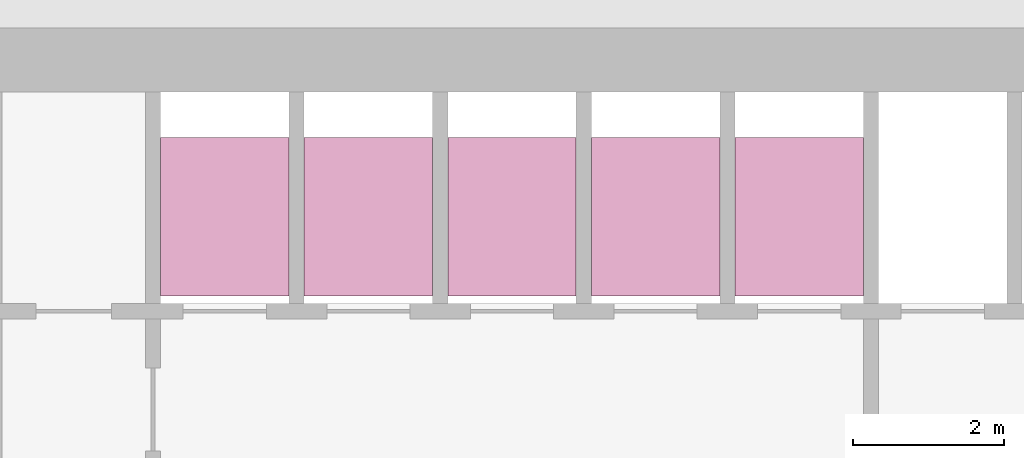
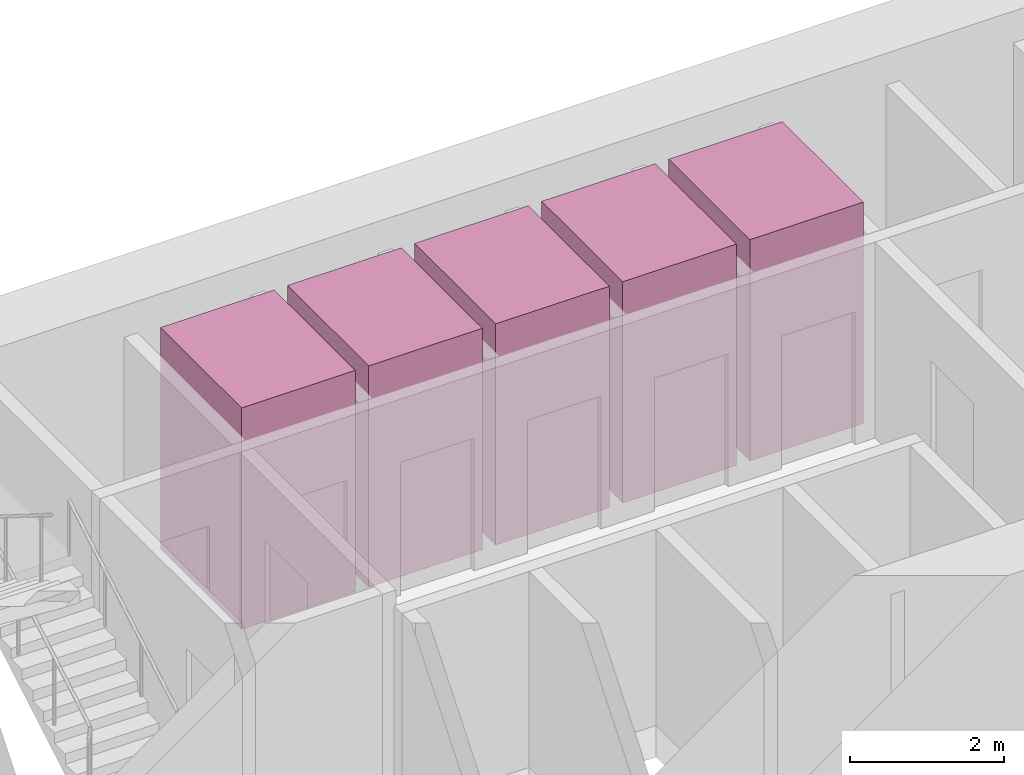
# One storey, part 13 of 13: 5 transport elements.
"""IFC4 building model written with IfcOpenShell, lengths in metres."""

from ifc_helpers import new_model, si_unit, direction, frame, origin, origin_2d, place, context, subcontext, project, spatial, rectangle, extrude, material, type_object, element, save


model = new_model("IFC4")

# Units and contexts
model_context = context("Model", 3, precision=1e-05, world=origin(), true_north=direction((0.0, 1.0)))
body_context = subcontext(model_context, "Body", "Model", "MODEL_VIEW")
ifc_project = project(units=[si_unit("LENGTHUNIT", "METRE"), si_unit("AREAUNIT", "SQUARE_METRE"), si_unit("VOLUMEUNIT", "CUBIC_METRE"), si_unit("PLANEANGLEUNIT", "RADIAN"), si_unit("MASSUNIT", "GRAM", prefix="KILO")], contexts=[model_context])

# Site, building, storey
site_placement = place(None, origin())
site = spatial("IfcSite", under=ifc_project, at=site_placement, CompositionType="ELEMENT")
building_placement = place(site_placement, origin())
building = spatial("IfcBuilding", under=site, at=building_placement, Name="Altiplano Prism Tower", CompositionType="ELEMENT")
storey_placement = place(building_placement, frame((0.0, 0.0, 59.39990234375)))
storey = spatial("IfcBuildingStorey", under=building, at=storey_placement, Name="L14", CompositionType="ELEMENT", Elevation=59.39990234375)

# Transport elements
ifc_material = material(Name="Stainless steel lift car", Category="steel")
transport_element_type = type_object("IfcTransportElementType", Name="Passenger lift car 1600 x 2100", PredefinedType="ELEVATOR", material=ifc_material)
for number, where, z_axis, x_axis, name in (
    (1, (79.050048828125, 101.75, 0.050048828125), (0.0, 0.0, 1.0), (1.0, 0.0, 0.0), "Low Zone Passenger Lift 1"),
    (2, (80.949951171875, 101.75, 0.050048828125), (0.0, 0.0, 1.0), (1.0, 0.0, 0.0), "Low Zone Passenger Lift 2"),
    (3, (82.85009765625, 101.75, 0.050048828125), (0.0, 0.0, 1.0), (1.0, 0.0, 0.0), "Low Zone Passenger Lift 3"),
    (4, (84.75, 101.75, 0.050048828125), (0.0, 0.0, 1.0), (1.0, 0.0, 0.0), "Low Zone Passenger Lift 4"),
    (5, (86.64990234375, 101.75, 0.050048828125), (0.0, 0.0, 1.0), (1.0, 0.0, 0.0), "Low Zone Passenger Lift 5"),
):
    element("IfcTransportElement", number, at=place(storey_placement, frame(where, z_axis=z_axis, x_axis=x_axis)), inside=storey, type_object=transport_element_type, Name=name, PredefinedType="ELEVATOR", context=body_context, shape_type="SweptSolid", body=[
        extrude(rectangle(XDim=1.699951171875, YDim=2.10009765625, at=origin_2d()), origin(), (0.0, 0.0, 1.0), 3.5),
    ])

save(model, "model.ifc")
